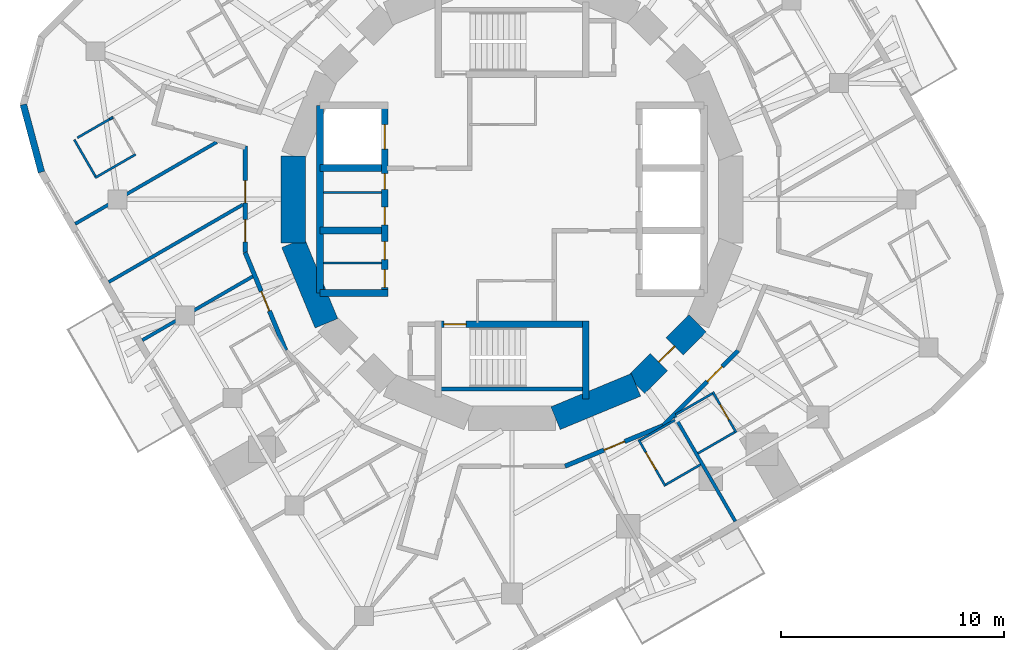
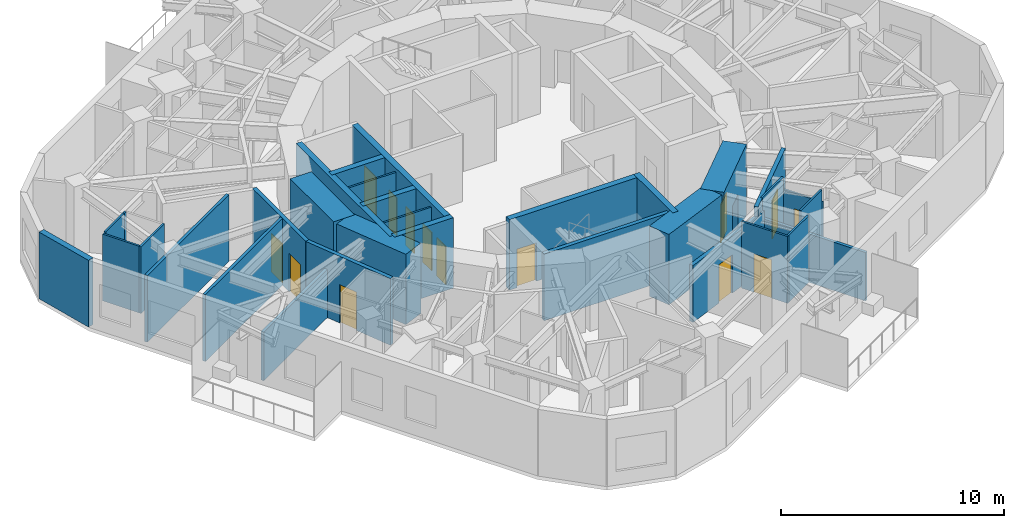
# One storey, part 5 of 11: 33 walls, 14 doors, 14 openings.
"""IFC4 building model written with IfcOpenShell, lengths in metres."""

from ifc_helpers import new_model, si_unit, direction, frame, frame_2d, origin, place, context, subcontext, project, spatial, rectangle, extrude, material, layer, layer_set, type_object, element, fill, save


model = new_model("IFC4")

# Units and contexts
model_context = context("Model", 3, precision=1e-05, world=origin(), true_north=direction((0.0, 1.0)))
body_context = subcontext(model_context, "Body", "Model", "MODEL_VIEW")
ifc_project = project(units=[si_unit("LENGTHUNIT", "METRE"), si_unit("AREAUNIT", "SQUARE_METRE"), si_unit("VOLUMEUNIT", "CUBIC_METRE"), si_unit("PLANEANGLEUNIT", "RADIAN"), si_unit("MASSUNIT", "GRAM", prefix="KILO")], contexts=[model_context])

# Site, building, storey
site_placement = place(None, origin())
site = spatial("IfcSite", under=ifc_project, at=site_placement, CompositionType="ELEMENT")
building_placement = place(site_placement, origin())
building = spatial("IfcBuilding", under=site, at=building_placement, Name="Nakasero Lantern House", CompositionType="ELEMENT")
storey_placement = place(building_placement, frame((0.0, 0.0, 234.64990234375)))
storey = spatial("IfcBuildingStorey", under=building, at=storey_placement, Name="L57", CompositionType="ELEMENT", Elevation=234.64990234375)

# Wall, openings, doors
ifc_material_1 = material(Name="Concrete C50/60", Category="concrete")
ifc_layer_1 = layer(ifc_material_1, 0.300048828125)
ifc_layer_set_1 = layer_set([ifc_layer_1], Name="Core inner wall 300")
wall_type_1 = type_object("IfcWallType", Name="Core inner wall 300", PredefinedType="SHEAR", material=ifc_layer_set_1)
wall_1_placement = place(storey_placement, frame((-5.699951171875, -4.199951171875, 0.0), z_axis=(0.0, 0.0, 1.0), x_axis=(0.0, 1.0, 0.0)))
wall_1 = element("IfcWall", 1, at=wall_1_placement, inside=storey, type_object=wall_type_1, Name="Core inner wall L57 LW", PredefinedType="SHEAR", context=body_context, shape_type="SweptSolid", body=[
    extrude(rectangle(XDim=8.39990234375, YDim=0.300048828125, at=frame_2d((4.199951171875, 0.0))), origin(), (0.0, 0.0, 1.0), 3.85009765625),
])
opening_1_placement = place(wall_1_placement, frame((0.25, 0.0, 0.0)))
opening_1 = element("IfcOpeningElement", 2, at=opening_1_placement, cuts=wall_1, Name="Opening D15", PredefinedType="OPENING", context=body_context, shape_type="SweptSolid", body=[
    extrude(rectangle(XDim=0.800048828125, YDim=2.10009765625, at=frame_2d((0.39990234375, 1.050048828125))), frame((0.0, 0.169921875, 0.0), z_axis=(0.0, -1.0, 0.0), x_axis=(1.0, 0.0, 0.0)), (0.0, 0.0, 1.0), 0.340087890625),
])
opening_2_placement = place(wall_1_placement, frame((1.5, 0.0, 0.0)))
opening_2 = element("IfcOpeningElement", 3, at=opening_2_placement, cuts=wall_1, Name="Opening D15", PredefinedType="OPENING", context=body_context, shape_type="SweptSolid", body=[
    extrude(rectangle(XDim=0.800048828125, YDim=2.10009765625, at=frame_2d((0.39990234375, 1.050048828125))), frame((0.0, 0.169921875, 0.0), z_axis=(0.0, -1.0, 0.0), x_axis=(1.0, 0.0, 0.0)), (0.0, 0.0, 1.0), 0.340087890625),
])
opening_3_placement = place(wall_1_placement, frame((3.050048828125, 0.0, 0.0)))
opening_3 = element("IfcOpeningElement", 4, at=opening_3_placement, cuts=wall_1, Name="Opening D15", PredefinedType="OPENING", context=body_context, shape_type="SweptSolid", body=[
    extrude(rectangle(XDim=0.800048828125, YDim=2.10009765625, at=frame_2d((0.39990234375, 1.050048828125))), frame((0.0, 0.169921875, 0.0), z_axis=(0.0, -1.0, 0.0), x_axis=(1.0, 0.0, 0.0)), (0.0, 0.0, 1.0), 0.340087890625),
])
opening_4_placement = place(wall_1_placement, frame((4.64990234375, 0.0, 0.0)))
opening_4 = element("IfcOpeningElement", 5, at=opening_4_placement, cuts=wall_1, Name="Opening D20", PredefinedType="OPENING", context=body_context, shape_type="SweptSolid", body=[
    extrude(rectangle(XDim=0.699951171875, YDim=2.10009765625, at=frame_2d((0.35009765625, 1.050048828125))), frame((0.0, 0.169921875, 0.0), z_axis=(0.0, -1.0, 0.0), x_axis=(1.0, 0.0, 0.0)), (0.0, 0.0, 1.0), 0.340087890625),
])
opening_5_placement = place(wall_1_placement, frame((6.449951171875, 0.0, 0.0)))
opening_5 = element("IfcOpeningElement", 6, at=opening_5_placement, cuts=wall_1, Name="Opening LD", PredefinedType="OPENING", context=body_context, shape_type="SweptSolid", body=[
    extrude(rectangle(XDim=1.10009765625, YDim=2.10009765625, at=frame_2d((0.550048828125, 1.050048828125))), frame((0.0, 0.169921875, 0.0), z_axis=(0.0, -1.0, 0.0), x_axis=(1.0, 0.0, 0.0)), (0.0, 0.0, 1.0), 0.340087890625),
])
ifc_material_2 = material(Name="Timber C24", Category="wood")
door_type_1 = type_object("IfcDoorType", Name="Cleaner's store door FD30S 700", OperationType="SINGLE_SWING_LEFT", PredefinedType="DOOR", material=ifc_material_2)
door_1_placement = place(opening_4_placement, origin())
door_1 = element("IfcDoor", 7, at=door_1_placement, inside=storey, type_object=door_type_1, Name="Door L57 D-SH-LW2b", OperationType="SINGLE_SWING_RIGHT", OverallHeight=2.10009765625, OverallWidth=0.699951171875, PredefinedType="DOOR", context=body_context, shape_type="SweptSolid", body=[
    extrude(rectangle(XDim=0.699951171875, YDim=2.10009765625, at=frame_2d((0.35009765625, 1.050048828125))), frame((0.0, 0.02490234375, 0.0), z_axis=(0.0, -1.0, 0.0), x_axis=(1.0, 0.0, 0.0)), (0.0, 0.0, 1.0), 0.050048828125),
])
fill(opening_4, door_1)
ifc_material_3 = material(Name="Timber C24", Category="wood")
door_type_2 = type_object("IfcDoorType", Name="Cleaner's store door FD30S 800", OperationType="SINGLE_SWING_LEFT", PredefinedType="DOOR", material=ifc_material_3)
door_2_placement = place(opening_1_placement, origin())
door_2 = element("IfcDoor", 8, at=door_2_placement, inside=storey, type_object=door_type_2, Name="Door L57 D-SH-LW1a", OperationType="SINGLE_SWING_LEFT", OverallHeight=2.10009765625, OverallWidth=0.800048828125, PredefinedType="DOOR", context=body_context, shape_type="SweptSolid", body=[
    extrude(rectangle(XDim=0.800048828125, YDim=2.10009765625, at=frame_2d((0.39990234375, 1.050048828125))), frame((0.0, 0.02490234375, 0.0), z_axis=(0.0, -1.0, 0.0), x_axis=(1.0, 0.0, 0.0)), (0.0, 0.0, 1.0), 0.050048828125),
])
fill(opening_1, door_2)
door_3_placement = place(opening_2_placement, origin())
door_3 = element("IfcDoor", 9, at=door_3_placement, inside=storey, type_object=door_type_2, Name="Door L57 D-SH-LW1b", OperationType="SINGLE_SWING_LEFT", OverallHeight=2.10009765625, OverallWidth=0.800048828125, PredefinedType="DOOR", context=body_context, shape_type="SweptSolid", body=[
    extrude(rectangle(XDim=0.800048828125, YDim=2.10009765625, at=frame_2d((0.39990234375, 1.050048828125))), frame((0.0, 0.02490234375, 0.0), z_axis=(0.0, -1.0, 0.0), x_axis=(1.0, 0.0, 0.0)), (0.0, 0.0, 1.0), 0.050048828125),
])
fill(opening_2, door_3)
door_4_placement = place(opening_3_placement, origin())
door_4 = element("IfcDoor", 10, at=door_4_placement, inside=storey, type_object=door_type_2, Name="Door L57 D-SH-LW2a", OperationType="SINGLE_SWING_LEFT", OverallHeight=2.10009765625, OverallWidth=0.800048828125, PredefinedType="DOOR", context=body_context, shape_type="SweptSolid", body=[
    extrude(rectangle(XDim=0.800048828125, YDim=2.10009765625, at=frame_2d((0.39990234375, 1.050048828125))), frame((0.0, 0.02490234375, 0.0), z_axis=(0.0, -1.0, 0.0), x_axis=(1.0, 0.0, 0.0)), (0.0, 0.0, 1.0), 0.050048828125),
])
fill(opening_3, door_4)
ifc_material_4 = material(Name="Steel S355", Category="steel")
door_type_3 = type_object("IfcDoorType", Name="Lift landing door E120 1100", OperationType="SLIDING_TO_LEFT", PredefinedType="DOOR", material=ifc_material_4)
door_5_placement = place(opening_5_placement, origin())
door_5 = element("IfcDoor", 11, at=door_5_placement, inside=storey, type_object=door_type_3, Name="Lift landing door LW3", OperationType="SLIDING_TO_LEFT", OverallHeight=2.10009765625, OverallWidth=1.10009765625, PredefinedType="DOOR", context=body_context, shape_type="SweptSolid", body=[
    extrude(rectangle(XDim=1.10009765625, YDim=2.10009765625, at=frame_2d((0.550048828125, 1.050048828125))), frame((0.0, 0.02490234375, 0.0), z_axis=(0.0, -1.0, 0.0), x_axis=(1.0, 0.0, 0.0)), (0.0, 0.0, 1.0), 0.050048828125),
])
fill(opening_5, door_5)

# Walls
wall_2_placement = place(storey_placement, frame((-8.60009765625, -4.199951171875, 0.0), z_axis=(0.0, 0.0, 1.0), x_axis=(1.0, 0.0, 0.0)))
element("IfcWall", 12, at=wall_2_placement, inside=storey, type_object=wall_type_1, Name="Core inner wall L57 LWS", PredefinedType="SHEAR", context=body_context, shape_type="SweptSolid", body=[
    extrude(rectangle(XDim=3.050048828125, YDim=0.300048828125, at=frame_2d((1.52490234375, 0.0))), origin(), (0.0, 0.0, 1.0), 3.85009765625),
])
wall_3_placement = place(storey_placement, frame((-8.60009765625, -4.199951171875, 0.0), z_axis=(0.0, 0.0, 1.0), x_axis=(0.0, 1.0, 0.0)))
element("IfcWall", 13, at=wall_3_placement, inside=storey, type_object=wall_type_1, Name="Core inner wall L57 LWB", PredefinedType="SHEAR", context=body_context, shape_type="SweptSolid", body=[
    extrude(rectangle(XDim=8.39990234375, YDim=0.300048828125, at=frame_2d((4.199951171875, 0.0))), origin(), (0.0, 0.0, 1.0), 3.85009765625),
])
for number, where, z_axis, x_axis, name in (
    (14, (-8.60009765625, -1.39990234375, 0.0), (0.0, 0.0, 1.0), (1.0, 0.0, 0.0), "Core inner wall L57 LW1"),
    (15, (-8.60009765625, 1.39990234375, 0.0), (0.0, 0.0, 1.0), (1.0, 0.0, 0.0), "Core inner wall L57 LW2"),
):
    element("IfcWall", number, at=place(storey_placement, frame(where, z_axis=z_axis, x_axis=x_axis)), inside=storey, type_object=wall_type_1, Name=name, PredefinedType="SHEAR", context=body_context, shape_type="SweptSolid", body=[
        extrude(rectangle(XDim=2.75, YDim=0.300048828125, at=frame_2d((1.375, 0.0))), origin(), (0.0, 0.0, 1.0), 3.85009765625),
    ])

# Wall, opening, door
wall_4_placement = place(storey_placement, frame((-3.449951171875, -5.60009765625, 0.0), z_axis=(0.0, 0.0, 1.0), x_axis=(1.0, 0.0, 0.0)))
wall_4 = element("IfcWall", 16, at=wall_4_placement, inside=storey, type_object=wall_type_1, Name="Core inner wall L57 SS", PredefinedType="SHEAR", context=body_context, shape_type="SweptSolid", body=[
    extrude(rectangle(XDim=6.89990234375, YDim=0.300048828125, at=frame_2d((3.449951171875, 0.0))), origin(), (0.0, 0.0, 1.0), 3.85009765625),
])
opening_6_placement = place(wall_4_placement, frame((0.39990234375, 0.0, 0.0)))
opening_6 = element("IfcOpeningElement", 17, at=opening_6_placement, cuts=wall_4, Name="Opening D05", PredefinedType="OPENING", context=body_context, shape_type="SweptSolid", body=[
    extrude(rectangle(XDim=1.0, YDim=2.10009765625, at=frame_2d((0.5, 1.050048828125))), frame((0.0, 0.169921875, 0.0), z_axis=(0.0, -1.0, 0.0), x_axis=(1.0, 0.0, 0.0)), (0.0, 0.0, 1.0), 0.340087890625),
])
ifc_material_5 = material(Name="Timber C24", Category="wood")
door_type_4 = type_object("IfcDoorType", Name="Core door FD60S 1000", OperationType="SINGLE_SWING_LEFT", PredefinedType="DOOR", material=ifc_material_5)
door_6_placement = place(opening_6_placement, origin())
door_6 = element("IfcDoor", 18, at=door_6_placement, inside=storey, type_object=door_type_4, Name="Door L57 D-ST2", OperationType="SINGLE_SWING_LEFT", OverallHeight=2.10009765625, OverallWidth=1.0, PredefinedType="DOOR", context=body_context, shape_type="SweptSolid", body=[
    extrude(rectangle(XDim=1.0, YDim=2.10009765625, at=frame_2d((0.5, 1.050048828125))), frame((0.0, 0.02490234375, 0.0), z_axis=(0.0, -1.0, 0.0), x_axis=(1.0, 0.0, 0.0)), (0.0, 0.0, 1.0), 0.050048828125),
])
fill(opening_6, door_6)

# Walls
wall_5_placement = place(storey_placement, frame((3.300048828125, -5.449951171875, 0.0), z_axis=(0.0, 0.0, 1.0), x_axis=(0.0, -1.0, 0.0)))
element("IfcWall", 19, at=wall_5_placement, inside=storey, type_object=wall_type_1, Name="Core inner wall L57 SSE", PredefinedType="SHEAR", context=body_context, shape_type="SweptSolid", body=[
    extrude(rectangle(XDim=3.5, YDim=0.300048828125, at=frame_2d((1.75, 0.0))), origin(), (0.0, 0.0, 1.0), 3.85009765625),
])
ifc_material_6 = material(Name="Blockwork", Category="masonry")
ifc_layer_2 = layer(ifc_material_6, 0.10009765625)
ifc_layer_set_2 = layer_set([ifc_layer_2], Name="Core room wall 100")
wall_type_2 = type_object("IfcWallType", Name="Core room wall 100", PredefinedType="PARTITIONING", material=ifc_layer_set_2)
for number, where, z_axis, x_axis, name in (
    (20, (-8.449951171875, -2.85009765625, 0.0), (0.0, 0.0, 1.0), (1.0, 0.0, 0.0), "Core room wall L57 CR-SH-LW1b"),
    (21, (-8.449951171875, 0.300048828125, 0.0), (0.0, 0.0, 1.0), (1.0, 0.0, 0.0), "Core room wall L57 CR-SH-LW2b"),
):
    element("IfcWall", number, at=place(storey_placement, frame(where, z_axis=z_axis, x_axis=x_axis)), inside=storey, type_object=wall_type_2, Name=name, PredefinedType="PARTITIONING", context=body_context, shape_type="SweptSolid", body=[
        extrude(rectangle(XDim=2.599853515625, YDim=0.10009765625, at=frame_2d((1.2998046875, 0.0))), origin(), (0.0, 0.0, 1.0), 3.650146484375),
    ])
ifc_material_7 = material(Name="Concrete C50/60", Category="concrete")
ifc_layer_3 = layer(ifc_material_7, 1.10009765625)
ifc_layer_set_3 = layer_set([ifc_layer_3], Name="Core wall 1100")
wall_type_3 = type_object("IfcWallType", Name="Core wall 1100", PredefinedType="SHEAR", material=ifc_layer_set_3)
for number, where, z_axis, x_axis, name in (
    (22, (-9.807861328125, 1.950927734375, 0.0), (0.0, 0.0, 1.0), (0.0, -1.0, 0.0), "Core wall L57 facet 8"),
    (23, (-9.807861328125, -1.950927734375, 0.0), (0.0, 0.0, 1.0), (0.382690736062, -0.923876507187, 0.0), "Core wall L57 facet 9"),
    (24, (1.950927734375, -9.807861328125, 0.0), (0.0, 0.0, 1.0), (0.923876507187, 0.382690736062, 0.0), "Core wall L57 facet 13"),
):
    element("IfcWall", number, at=place(storey_placement, frame(where, z_axis=z_axis, x_axis=x_axis)), inside=storey, type_object=wall_type_3, Name=name, PredefinedType="SHEAR", context=body_context, shape_type="SweptSolid", body=[
        extrude(rectangle(XDim=3.90185546875, YDim=1.10009765625, at=frame_2d((1.950927734375, 0.0))), origin(), (0.0, 0.0, 1.0), 3.85009765625),
    ])

# Wall, opening, door
wall_6_placement = place(storey_placement, frame((5.5556640625, -8.314697265625, 0.0), z_axis=(0.0, 0.0, 1.0), x_axis=(0.707106781187, 0.707106781187, 0.0)))
wall_6 = element("IfcWall", 25, at=wall_6_placement, inside=storey, type_object=wall_type_3, Name="Core wall L57 facet 14", PredefinedType="SHEAR", context=body_context, shape_type="SweptSolid", body=[
    extrude(rectangle(XDim=3.90185546875, YDim=1.10009765625, at=frame_2d((1.950927734375, 0.0))), origin(), (0.0, 0.0, 1.0), 3.85009765625),
])
opening_7_placement = place(wall_6_placement, frame((1.450927734375, 0.0, 0.0)))
opening_7 = element("IfcOpeningElement", 26, at=opening_7_placement, cuts=wall_6, Name="Opening D05", PredefinedType="OPENING", context=body_context, shape_type="SweptSolid", body=[
    extrude(rectangle(XDim=1.0, YDim=2.10009765625, at=frame_2d((0.5, 1.050048828125))), frame((0.0, 0.570068359375, 0.0), z_axis=(0.0, -1.0, 0.0), x_axis=(1.0, 0.0, 0.0)), (0.0, 0.0, 1.0), 1.14013671875),
])
door_7_placement = place(opening_7_placement, origin())
door_7 = element("IfcDoor", 27, at=door_7_placement, inside=storey, type_object=door_type_4, Name="Door L57 D-CORE14", OperationType="SINGLE_SWING_LEFT", OverallHeight=2.10009765625, OverallWidth=1.0, PredefinedType="DOOR", context=body_context, shape_type="SweptSolid", body=[
    extrude(rectangle(XDim=1.0, YDim=2.10009765625, at=frame_2d((0.5, 1.050048828125))), frame((0.0, 0.02490234375, 0.0), z_axis=(0.0, -1.0, 0.0), x_axis=(1.0, 0.0, 0.0)), (0.0, 0.0, 1.0), 0.050048828125),
])
fill(opening_7, door_7)

ifc_material_8 = material(Name="Blockwork", Category="masonry")
ifc_layer_4 = layer(ifc_material_8, 0.199951171875)
ifc_layer_set_4 = layer_set([ifc_layer_4], Name="Corridor wall 200")
wall_type_4 = type_object("IfcWallType", Name="Corridor wall 200", PredefinedType="PARTITIONING", material=ifc_layer_set_4)
wall_7_placement = place(storey_placement, frame((10.137451171875, -6.773681640625, 0.0), z_axis=(0.0, 0.0, 1.0), x_axis=(-0.707106781187, -0.707106781187, 0.0)))
wall_7 = element("IfcWall", 28, at=wall_7_placement, inside=storey, type_object=wall_type_4, Name="Corridor wall L57 RC02a", PredefinedType="PARTITIONING", context=body_context, shape_type="SweptSolid", body=[
    extrude(rectangle(XDim=4.757080078125, YDim=0.199951171875, at=frame_2d((2.37841796875, 0.0))), origin(), (0.0, 0.0, 1.0), 3.650146484375),
])
opening_8_placement = place(wall_7_placement, frame((1.02001953125, 0.0, 0.0)))
opening_8 = element("IfcOpeningElement", 29, at=opening_8_placement, cuts=wall_7, Name="Opening D01", PredefinedType="OPENING", context=body_context, shape_type="SweptSolid", body=[
    extrude(rectangle(XDim=0.949951171875, YDim=2.10009765625, at=frame_2d((0.47509765625, 1.050048828125))), frame((0.0, 0.119873046875, 0.0), z_axis=(0.0, -1.0, 0.0), x_axis=(1.0, 0.0, 0.0)), (0.0, 0.0, 1.0), 0.239990234375),
])
ifc_material_9 = material(Name="Timber C24", Category="wood")
door_type_5 = type_object("IfcDoorType", Name="Bedroom door FD30S 950", OperationType="SINGLE_SWING_LEFT", PredefinedType="DOOR", material=ifc_material_9)
door_8_placement = place(opening_8_placement, origin())
door_8 = element("IfcDoor", 30, at=door_8_placement, inside=storey, type_object=door_type_5, Name="Door L57 D3-04", OperationType="SINGLE_SWING_LEFT", OverallHeight=2.10009765625, OverallWidth=0.949951171875, PredefinedType="DOOR", context=body_context, shape_type="SweptSolid", body=[
    extrude(rectangle(XDim=0.949951171875, YDim=2.10009765625, at=frame_2d((0.47509765625, 1.050048828125))), frame((0.0, 0.02490234375, 0.0), z_axis=(0.0, -1.0, 0.0), x_axis=(1.0, 0.0, 0.0)), (0.0, 0.0, 1.0), 0.050048828125),
])
fill(opening_8, door_8)

wall_8_placement = place(storey_placement, frame((6.773681640625, -10.137451171875, 0.0), z_axis=(0.0, 0.0, 1.0), x_axis=(-0.923891735412, -0.382653970627, 0.0)))
wall_8 = element("IfcWall", 31, at=wall_8_placement, inside=storey, type_object=wall_type_4, Name="Corridor wall L57 RC03a", PredefinedType="PARTITIONING", context=body_context, shape_type="SweptSolid", body=[
    extrude(rectangle(XDim=4.757080078125, YDim=0.199951171875, at=frame_2d((2.37841796875, 0.0))), origin(), (0.0, 0.0, 1.0), 3.11328125),
])
opening_9_placement = place(wall_8_placement, frame((1.8701171875, 0.0, 0.0)))
opening_9 = element("IfcOpeningElement", 32, at=opening_9_placement, cuts=wall_8, Name="Opening D07", PredefinedType="OPENING", context=body_context, shape_type="SweptSolid", body=[
    extrude(rectangle(XDim=1.0, YDim=2.10009765625, at=frame_2d((0.5, 1.050048828125))), frame((0.0, 0.119873046875, 0.0), z_axis=(0.0, -1.0, 0.0), x_axis=(1.0, 0.0, 0.0)), (0.0, 0.0, 1.0), 0.239990234375),
])
ifc_material_10 = material(Name="Timber C24", Category="wood")
door_type_6 = type_object("IfcDoorType", Name="Room door FD30S 1000", OperationType="SINGLE_SWING_LEFT", PredefinedType="DOOR", material=ifc_material_10)
door_9_placement = place(opening_9_placement, origin())
door_9 = element("IfcDoor", 33, at=door_9_placement, inside=storey, type_object=door_type_6, Name="Door L57 D3-03", OperationType="SINGLE_SWING_LEFT", OverallHeight=2.10009765625, OverallWidth=1.0, PredefinedType="DOOR", context=body_context, shape_type="SweptSolid", body=[
    extrude(rectangle(XDim=1.0, YDim=2.10009765625, at=frame_2d((0.5, 1.050048828125))), frame((0.0, 0.02490234375, 0.0), z_axis=(0.0, -1.0, 0.0), x_axis=(1.0, 0.0, 0.0)), (0.0, 0.0, 1.0), 0.050048828125),
])
fill(opening_9, door_9)

wall_9_placement = place(storey_placement, frame((-10.137451171875, -6.773681640625, 0.0), z_axis=(0.0, 0.0, 1.0), x_axis=(-0.382653970627, 0.923891735412, 0.0)))
wall_9 = element("IfcWall", 34, at=wall_9_placement, inside=storey, type_object=wall_type_4, Name="Corridor wall L57 RC07a", PredefinedType="PARTITIONING", context=body_context, shape_type="SweptSolid", body=[
    extrude(rectangle(XDim=4.757080078125, YDim=0.199951171875, at=frame_2d((2.37841796875, 0.0))), origin(), (0.0, 0.0, 1.0), 3.650146484375),
])
opening_10_placement = place(wall_9_placement, frame((1.919921875, 0.0, 0.0)))
opening_10 = element("IfcOpeningElement", 35, at=opening_10_placement, cuts=wall_9, Name="Opening D01", PredefinedType="OPENING", context=body_context, shape_type="SweptSolid", body=[
    extrude(rectangle(XDim=0.949951171875, YDim=2.10009765625, at=frame_2d((0.47509765625, 1.050048828125))), frame((0.0, 0.119873046875, 0.0), z_axis=(0.0, -1.0, 0.0), x_axis=(1.0, 0.0, 0.0)), (0.0, 0.0, 1.0), 0.239990234375),
])
door_10_placement = place(opening_10_placement, origin())
door_10 = element("IfcDoor", 36, at=door_10_placement, inside=storey, type_object=door_type_5, Name="Door L57 D2-03", OperationType="SINGLE_SWING_RIGHT", OverallHeight=2.10009765625, OverallWidth=0.949951171875, PredefinedType="DOOR", context=body_context, shape_type="SweptSolid", body=[
    extrude(rectangle(XDim=0.949951171875, YDim=2.10009765625, at=frame_2d((0.47509765625, 1.050048828125))), frame((0.0, 0.02490234375, 0.0), z_axis=(0.0, -1.0, 0.0), x_axis=(1.0, 0.0, 0.0)), (0.0, 0.0, 1.0), 0.050048828125),
])
fill(opening_10, door_10)

# Wall, openings, doors
wall_10_placement = place(storey_placement, frame((-11.957763671875, -2.378662109375, 0.0), z_axis=(0.0, 0.0, 1.0), x_axis=(0.0, 1.0, 0.0)))
wall_10 = element("IfcWall", 37, at=wall_10_placement, inside=storey, type_object=wall_type_4, Name="Corridor wall L57 RC08a", PredefinedType="PARTITIONING", context=body_context, shape_type="SweptSolid", body=[
    extrude(rectangle(XDim=4.75732421875, YDim=0.199951171875, at=frame_2d((2.378662109375, 0.0))), origin(), (0.0, 0.0, 1.0), 3.650146484375),
])
opening_11_placement = place(wall_10_placement, frame((2.219970703125, 0.0, 0.0)))
opening_11 = element("IfcOpeningElement", 38, at=opening_11_placement, cuts=wall_10, Name="Opening D03", PredefinedType="OPENING", context=body_context, shape_type="SweptSolid", body=[
    extrude(rectangle(XDim=1.0, YDim=2.10009765625, at=frame_2d((0.5, 1.050048828125))), frame((0.0, 0.119873046875, 0.0), z_axis=(0.0, -1.0, 0.0), x_axis=(1.0, 0.0, 0.0)), (0.0, 0.0, 1.0), 0.239990234375),
])
opening_12_placement = place(wall_10_placement, frame((0.469970703125, 0.0, 0.0)))
opening_12 = element("IfcOpeningElement", 39, at=opening_12_placement, cuts=wall_10, Name="Opening D03", PredefinedType="OPENING", context=body_context, shape_type="SweptSolid", body=[
    extrude(rectangle(XDim=1.0, YDim=2.10009765625, at=frame_2d((0.5, 1.050048828125))), frame((0.0, 0.119873046875, 0.0), z_axis=(0.0, -1.0, 0.0), x_axis=(1.0, 0.0, 0.0)), (0.0, 0.0, 1.0), 0.239990234375),
])
ifc_material_11 = material(Name="Timber C24", Category="wood")
door_type_7 = type_object("IfcDoorType", Name="Lounge door FD30S 1000", OperationType="SINGLE_SWING_LEFT", PredefinedType="DOOR", material=ifc_material_11)
door_11_placement = place(opening_11_placement, origin())
door_11 = element("IfcDoor", 40, at=door_11_placement, inside=storey, type_object=door_type_7, Name="Door L57 DK2", OperationType="SINGLE_SWING_RIGHT", OverallHeight=2.10009765625, OverallWidth=1.0, PredefinedType="DOOR", context=body_context, shape_type="SweptSolid", body=[
    extrude(rectangle(XDim=1.0, YDim=2.10009765625, at=frame_2d((0.5, 1.050048828125))), frame((0.0, 0.02490234375, 0.0), z_axis=(0.0, -1.0, 0.0), x_axis=(1.0, 0.0, 0.0)), (0.0, 0.0, 1.0), 0.050048828125),
])
fill(opening_11, door_11)
door_12_placement = place(opening_12_placement, origin())
door_12 = element("IfcDoor", 41, at=door_12_placement, inside=storey, type_object=door_type_7, Name="Door L57 DK2-1", OperationType="SINGLE_SWING_LEFT", OverallHeight=2.10009765625, OverallWidth=1.0, PredefinedType="DOOR", context=body_context, shape_type="SweptSolid", body=[
    extrude(rectangle(XDim=1.0, YDim=2.10009765625, at=frame_2d((0.5, 1.050048828125))), frame((0.0, 0.02490234375, 0.0), z_axis=(0.0, -1.0, 0.0), x_axis=(1.0, 0.0, 0.0)), (0.0, 0.0, 1.0), 0.050048828125),
])
fill(opening_12, door_12)

# Walls
ifc_material_12 = material(Name="Blockwork", Category="masonry")
ifc_layer_5 = layer(ifc_material_12, 0.10009765625)
ifc_layer_set_5 = layer_set([ifc_layer_5], Name="En-suite wall 100")
wall_type_5 = type_object("IfcWallType", Name="En-suite wall 100", PredefinedType="PARTITIONING", material=ifc_layer_set_5)
wall_11_placement = place(storey_placement, frame((-16.865478515625, 2.01171875, 0.0), z_axis=(0.0, 0.0, 1.0), x_axis=(-0.866059744384, -0.49994051562, 0.0)))
element("IfcWall", 42, at=wall_11_placement, inside=storey, type_object=wall_type_5, Name="En-suite wall L57 ES2-00", PredefinedType="PARTITIONING", context=body_context, shape_type="SweptSolid", body=[
    extrude(rectangle(XDim=2.099853515625, YDim=0.10009765625, at=frame_2d((1.0498046875, 0.0))), origin(), (0.0, 0.0, 1.0), 3.650146484375),
])
wall_12_placement = place(storey_placement, frame((-19.61572265625, 2.675537109375, 0.0), z_axis=(0.0, 0.0, 1.0), x_axis=(0.499967155389, -0.866044365799, 0.0)))
element("IfcWall", 43, at=wall_12_placement, inside=storey, type_object=wall_type_5, Name="En-suite wall L57 EE2-00", PredefinedType="PARTITIONING", context=body_context, shape_type="SweptSolid", body=[
    extrude(rectangle(XDim=1.900146484375, YDim=0.10009765625, at=frame_2d((0.9501953125, 0.0))), origin(), (0.0, 0.0, 1.0), 3.650146484375),
])

# Wall, opening, door
wall_13_placement = place(storey_placement, frame((5.67333984375, -10.774658203125, 0.0), z_axis=(0.0, 0.0, 1.0), x_axis=(0.500001309137, -0.866024647952, 0.0)))
wall_13 = element("IfcWall", 44, at=wall_13_placement, inside=storey, type_object=wall_type_5, Name="En-suite wall L57 ES3-03", PredefinedType="PARTITIONING", context=body_context, shape_type="SweptSolid", body=[
    extrude(rectangle(XDim=2.39990234375, YDim=0.10009765625, at=frame_2d((1.199951171875, 0.0))), origin(), (0.0, 0.0, 1.0), 3.650146484375),
])
opening_13_placement = place(wall_13_placement, frame((0.64990234375, 0.0, 0.0)))
opening_13 = element("IfcOpeningElement", 45, at=opening_13_placement, cuts=wall_13, Name="Opening D16", PredefinedType="OPENING", context=body_context, shape_type="SweptSolid", body=[
    extrude(rectangle(XDim=0.89990234375, YDim=2.10009765625, at=frame_2d((0.449951171875, 1.050048828125))), frame((0.0, 0.070068359375, 0.0), z_axis=(0.0, -1.0, 0.0), x_axis=(1.0, 0.0, 0.0)), (0.0, 0.0, 1.0), 0.14013671875),
])
ifc_material_13 = material(Name="Timber C24", Category="wood")
door_type_8 = type_object("IfcDoorType", Name="Accessible WC door 900", OperationType="SINGLE_SWING_RIGHT", PredefinedType="DOOR", material=ifc_material_13)
door_13_placement = place(opening_13_placement, origin())
door_13 = element("IfcDoor", 46, at=door_13_placement, inside=storey, type_object=door_type_8, Name="Door L57 DE3-03", OperationType="SINGLE_SWING_LEFT", OverallHeight=2.10009765625, OverallWidth=0.89990234375, PredefinedType="DOOR", context=body_context, shape_type="SweptSolid", body=[
    extrude(rectangle(XDim=0.89990234375, YDim=2.10009765625, at=frame_2d((0.449951171875, 1.050048828125))), frame((0.0, 0.02490234375, 0.0), z_axis=(0.0, -1.0, 0.0), x_axis=(1.0, 0.0, 0.0)), (0.0, 0.0, 1.0), 0.050048828125),
])
fill(opening_13, door_13)

# Walls
wall_14_placement = place(storey_placement, frame((6.8916015625, -12.784912109375, 0.0), z_axis=(0.0, 0.0, 1.0), x_axis=(0.865989075817, 0.500062916607, 0.0)))
element("IfcWall", 47, at=wall_14_placement, inside=storey, type_object=wall_type_5, Name="En-suite wall L57 EE3-03", PredefinedType="PARTITIONING", context=body_context, shape_type="SweptSolid", body=[
    extrude(rectangle(XDim=1.800048828125, YDim=0.10009765625, at=frame_2d((0.89990234375, 0.0))), origin(), (0.0, 0.0, 1.0), 3.650146484375),
])
wall_15_placement = place(storey_placement, frame((5.741455078125, -10.79296875, 0.0), z_axis=(0.0, 0.0, 1.0), x_axis=(0.866081705922, 0.499902469156, 0.0)))
element("IfcWall", 48, at=wall_15_placement, inside=storey, type_object=wall_type_5, Name="En-suite wall L57 EI3-03", PredefinedType="PARTITIONING", context=body_context, shape_type="SweptSolid", body=[
    extrude(rectangle(XDim=1.800048828125, YDim=0.10009765625, at=frame_2d((0.89990234375, 0.0))), origin(), (0.0, 0.0, 1.0), 3.11328125),
])

# Wall, opening, door
wall_16_placement = place(storey_placement, frame((8.997314453125, -8.632080078125, 0.0), z_axis=(0.0, 0.0, 1.0), x_axis=(0.499977374825, -0.866038466041, 0.0)))
wall_16 = element("IfcWall", 49, at=wall_16_placement, inside=storey, type_object=wall_type_5, Name="En-suite wall L57 ES3-04", PredefinedType="PARTITIONING", context=body_context, shape_type="SweptSolid", body=[
    extrude(rectangle(XDim=2.10009765625, YDim=0.10009765625, at=frame_2d((1.050048828125, 0.0))), origin(), (0.0, 0.0, 1.0), 2.966552734375),
])
opening_14_placement = place(wall_16_placement, frame((0.64990234375, 0.0, 0.0)))
opening_14 = element("IfcOpeningElement", 50, at=opening_14_placement, cuts=wall_16, Name="Opening D02", PredefinedType="OPENING", context=body_context, shape_type="SweptSolid", body=[
    extrude(rectangle(XDim=0.800048828125, YDim=2.10009765625, at=frame_2d((0.39990234375, 1.050048828125))), frame((0.0, 0.070068359375, 0.0), z_axis=(0.0, -1.0, 0.0), x_axis=(1.0, 0.0, 0.0)), (0.0, 0.0, 1.0), 0.14013671875),
])
ifc_material_14 = material(Name="Timber C24", Category="wood")
door_type_9 = type_object("IfcDoorType", Name="En-suite door 800", OperationType="SINGLE_SWING_RIGHT", PredefinedType="DOOR", material=ifc_material_14)
door_14_placement = place(opening_14_placement, origin())
door_14 = element("IfcDoor", 51, at=door_14_placement, inside=storey, type_object=door_type_9, Name="Door L57 DE3-04", OperationType="SINGLE_SWING_RIGHT", OverallHeight=2.10009765625, OverallWidth=0.800048828125, PredefinedType="DOOR", context=body_context, shape_type="SweptSolid", body=[
    extrude(rectangle(XDim=0.800048828125, YDim=2.10009765625, at=frame_2d((0.39990234375, 1.050048828125))), frame((0.0, 0.02490234375, 0.0), z_axis=(0.0, -1.0, 0.0), x_axis=(1.0, 0.0, 0.0)), (0.0, 0.0, 1.0), 0.050048828125),
])
fill(opening_14, door_14)

# Walls
for number, where, z_axis, x_axis, name in (
    (52, (8.333740234375, -11.382568359375, 0.0), (0.0, 0.0, 1.0), (0.86601224135, 0.500022797313, 0.0), "En-suite wall L57 EE3-04"),
    (53, (7.333740234375, -9.650390625, 0.0), (0.0, 0.0, 1.0), (0.86601224135, 0.500022797313, 0.0), "En-suite wall L57 EI3-04"),
):
    element("IfcWall", number, at=place(storey_placement, frame(where, z_axis=z_axis, x_axis=x_axis)), inside=storey, type_object=wall_type_5, Name=name, PredefinedType="PARTITIONING", context=body_context, shape_type="SweptSolid", body=[
        extrude(rectangle(XDim=1.89990234375, YDim=0.10009765625, at=frame_2d((0.949951171875, 0.0))), origin(), (0.0, 0.0, 1.0), 3.650146484375),
    ])
wall_17_placement = place(storey_placement, frame((-18.022216796875, 3.595458984375, 0.0), z_axis=(0.0, 0.0, 1.0), x_axis=(-0.866088799389, -0.499890179513, 0.0)))
element("IfcWall", 54, at=wall_17_placement, inside=storey, type_object=wall_type_5, Name="En-suite wall L57 EX002", PredefinedType="PARTITIONING", context=body_context, shape_type="SweptSolid", body=[
    extrude(rectangle(XDim=1.68017578125, YDim=0.10009765625, at=frame_2d((0.840087890625, 0.0))), origin(), (0.0, 0.0, 1.0), 3.650146484375),
])
wall_18_placement = place(storey_placement, frame((-17.8837890625, 3.675537109375, 0.0), z_axis=(0.0, 0.0, 1.0), x_axis=(-0.865600433939, -0.500735348028, 0.0)))
element("IfcWall", 55, at=wall_18_placement, inside=storey, type_object=wall_type_5, Name="En-suite wall L57 EI2-00R0", PredefinedType="PARTITIONING", context=body_context, shape_type="SweptSolid", body=[
    extrude(rectangle(XDim=0.159912109375, YDim=0.10009765625, at=frame_2d((0.080078125, 0.0))), origin(), (0.0, 0.0, 1.0), 3.650146484375),
])
ifc_material_15 = material(Name="Aluminium rainscreen on blockwork", Category="masonry")
ifc_layer_6 = layer(ifc_material_15, 0.300048828125)
ifc_layer_set_6 = layer_set([ifc_layer_6], Name="Facade wall 300")
wall_type_6 = type_object("IfcWallType", Name="Facade wall 300", PredefinedType="SOLIDWALL", material=ifc_layer_set_6)
wall_19_placement = place(storey_placement, frame((-21.89599609375, 4.245849609375, 0.0), z_axis=(0.0, 0.0, 1.0), x_axis=(0.258827010283, -0.96592369199, 0.0)))
element("IfcWall", 56, at=wall_19_placement, inside=storey, type_object=wall_type_6, Name="Facade wall L57 FW1C3", PredefinedType="SOLIDWALL", context=body_context, shape_type="SweptSolid", body=[
    extrude(rectangle(XDim=3.131591796875, YDim=0.300048828125, at=frame_2d((1.56591796875, 0.0))), origin(), (0.0, 0.0, 1.0), 3.650146484375),
])
ifc_material_16 = material(Name="Blockwork", Category="masonry")
ifc_layer_7 = layer(ifc_material_16, 0.199951171875)
ifc_layer_set_7 = layer_set([ifc_layer_7], Name="Fire lobby wall 200")
wall_type_7 = type_object("IfcWallType", Name="Fire lobby wall 200", PredefinedType="PARTITIONING", material=ifc_layer_set_7)
wall_20_placement = place(storey_placement, frame((-3.300048828125, -8.5, 0.0), z_axis=(0.0, 0.0, 1.0), x_axis=(1.0, 0.0, 0.0)))
element("IfcWall", 57, at=wall_20_placement, inside=storey, type_object=wall_type_7, Name="Fire lobby wall L57 W-STS", PredefinedType="PARTITIONING", context=body_context, shape_type="SweptSolid", body=[
    extrude(rectangle(XDim=6.60009765625, YDim=0.199951171875, at=frame_2d((3.300048828125, 0.0))), origin(), (0.0, 0.0, 1.0), 3.650146484375),
])
ifc_material_17 = material(Name="Blockwork", Category="masonry")
ifc_layer_8 = layer(ifc_material_17, 0.14990234375)
ifc_layer_set_8 = layer_set([ifc_layer_8], Name="Party wall 150")
wall_type_8 = type_object("IfcWallType", Name="Party wall 150", PredefinedType="PARTITIONING", material=ifc_layer_set_8)
wall_21_placement = place(storey_placement, frame((-13.230224609375, 2.5615234375, 0.0), z_axis=(0.0, 0.0, 1.0), x_axis=(-0.866022919989, -0.500004302036, 0.0)))
element("IfcWall", 58, at=wall_21_placement, inside=storey, type_object=wall_type_8, Name="Party wall L57 PW2-01", PredefinedType="PARTITIONING", context=body_context, shape_type="SweptSolid", body=[
    extrude(rectangle(XDim=7.3232421875, YDim=0.14990234375, at=frame_2d((3.66162109375, 0.0))), origin(), (0.0, 0.0, 1.0), 3.650146484375),
])
wall_22_placement = place(storey_placement, frame((-12.057861328125, -0.236083984375, 0.0), z_axis=(0.0, 0.0, 1.0), x_axis=(-0.866026229868, -0.499998569178, 0.0)))
element("IfcWall", 59, at=wall_22_placement, inside=storey, type_object=wall_type_8, Name="Party wall L57 PW2-02", PredefinedType="PARTITIONING", context=body_context, shape_type="SweptSolid", body=[
    extrude(rectangle(XDim=6.939453125, YDim=0.14990234375, at=frame_2d((3.4697265625, 0.0))), origin(), (0.0, 0.0, 1.0), 3.650146484375),
])
wall_23_placement = place(storey_placement, frame((-11.619140625, -3.457275390625, 0.0), z_axis=(0.0, 0.0, 1.0), x_axis=(-0.866023927955, -0.500002556202, 0.0)))
element("IfcWall", 60, at=wall_23_placement, inside=storey, type_object=wall_type_8, Name="Party wall L57 PW2-03", PredefinedType="PARTITIONING", context=body_context, shape_type="SweptSolid", body=[
    extrude(rectangle(XDim=5.708984375, YDim=0.14990234375, at=frame_2d((2.8544921875, 0.0))), origin(), (0.0, 0.0, 1.0), 2.64208984375),
])
wall_24_placement = place(storey_placement, frame((7.3037109375, -9.748779296875, 0.0), z_axis=(0.0, 0.0, 1.0), x_axis=(0.500030010259, -0.86600807666, 0.0)))
element("IfcWall", 61, at=wall_24_placement, inside=storey, type_object=wall_type_8, Name="Party wall L57 PW3-04", PredefinedType="PARTITIONING", context=body_context, shape_type="SweptSolid", body=[
    extrude(rectangle(XDim=5.405517578125, YDim=0.14990234375, at=frame_2d((2.70263671875, 0.0))), origin(), (0.0, 0.0, 1.0), 2.650146484375),
])

save(model, "model.ifc")
